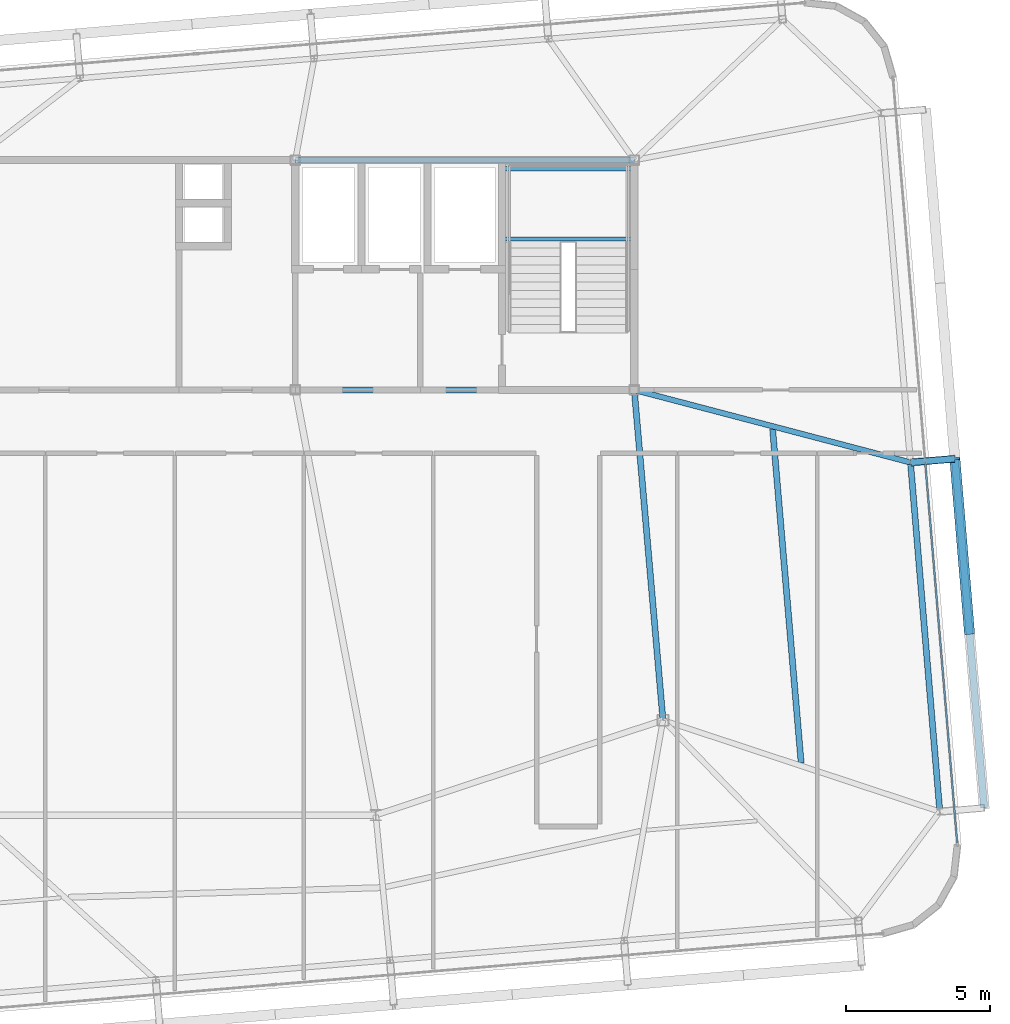
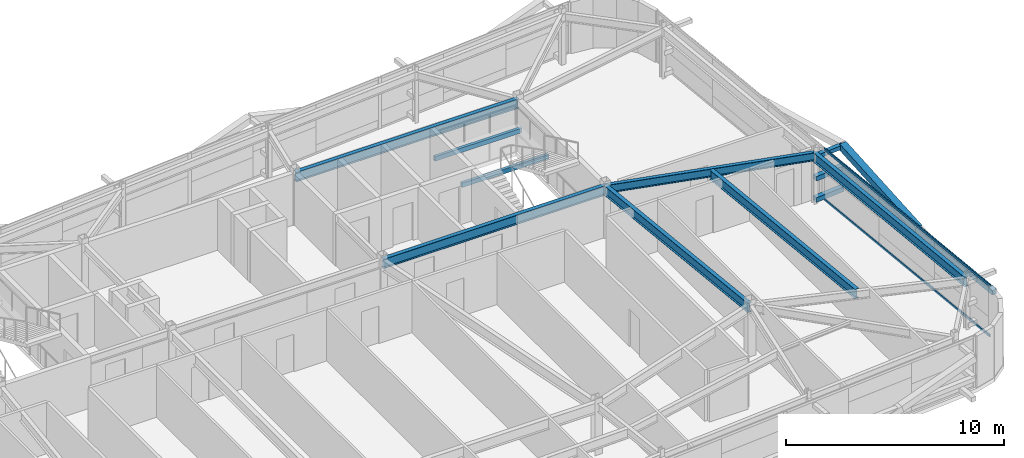
# One storey, part 19 of 39: 8 beams, 7 members, 1 element without a shape of its own.
"""IFC4 building model written with IfcOpenShell, lengths in metres."""

from ifc_helpers import new_model, si_unit, direction, frame, origin, origin_2d, place, context, subcontext, project, spatial, hollow_rectangle, i_section, extrude, source, transform, mapped, material, layer, layer_set, material_profile, profile_set, type_object, element, aggregate, save


model = new_model("IFC4")

# Units and contexts
model_context = context("Model", 3, precision=1e-05, world=origin(), true_north=direction((0.0, 1.0)))
body_context = subcontext(model_context, "Body", "Model", "MODEL_VIEW")
ifc_project = project(units=[si_unit("LENGTHUNIT", "METRE"), si_unit("AREAUNIT", "SQUARE_METRE"), si_unit("VOLUMEUNIT", "CUBIC_METRE"), si_unit("PLANEANGLEUNIT", "RADIAN"), si_unit("MASSUNIT", "GRAM", prefix="KILO")], contexts=[model_context])

# Site, building, storey
site_placement = place(None, origin())
site = spatial("IfcSite", under=ifc_project, at=site_placement, CompositionType="ELEMENT")
building_placement = place(site_placement, origin())
building = spatial("IfcBuilding", under=site, at=building_placement, Name="Taldren Reach Tower", CompositionType="ELEMENT")
storey_placement = place(building_placement, frame((0.0, 0.0, 204.050048828125)))
storey = spatial("IfcBuildingStorey", under=building, at=storey_placement, Name="L62", CompositionType="ELEMENT", Elevation=204.050048828125)

# Beams
ifc_material_1 = material(Name="Steel Gr 350 (350PLUS)", Category="steel")
ifc_material_profile_1 = material_profile(ifc_material_1, i_section(OverallWidth=0.208984375, OverallDepth=0.532958984375, WebThickness=0.01025390625, FlangeThickness=0.015625, at=origin_2d()), Name="530UB92.4")
ifc_profile_set_1 = profile_set([ifc_material_profile_1], Name="Steel Gr 350 (350PLUS)")
beam_type_1 = type_object("IfcBeamType", Name="BM-UB530A", PredefinedType="BEAM", material=ifc_profile_set_1)
shared_shape_1 = source(origin(), body_context, "Body", "SweptSolid", [
    extrude(i_section(OverallWidth=0.208984375, OverallDepth=0.532958984375, WebThickness=0.01025390625, FlangeThickness=0.015625, at=origin_2d()), origin(), (0.0, 0.0, 1.0), 11.800048828125),
])
for number, where, z_axis, x_axis, name in (
    (1, (39.199951171875, 24.0, 2.603515625), (1.0, 0.0, 0.0), (0.0, 1.0, 0.0), "Core-spine girder L62-SP03"),
    (2, (39.199951171875, 32.0, 2.603515625), (1.0, 0.0, 0.0), (0.0, 1.0, 0.0), "Core-spine girder L62-SP06"),
):
    element("IfcBeam", number, at=place(storey_placement, frame(where, z_axis=z_axis, x_axis=x_axis)), inside=storey, type_object=beam_type_1, Name=name, PredefinedType="BEAM", context=body_context, shape_type="MappedRepresentation", body=[
        mapped(shared_shape_1, transform((0.0, 0.0, 0.0), scale=1.0)),
    ])
shared_shape_2 = source(origin(), body_context, "Body", "SweptSolid", [
    extrude(i_section(OverallWidth=0.208984375, OverallDepth=0.532958984375, WebThickness=0.01025390625, FlangeThickness=0.015625, at=origin_2d()), origin(), (0.0, 0.0, 1.0), 11.54345703125),
])
beam_1_placement = place(storey_placement, frame((52.0, 12.5, 2.603515625), z_axis=(-0.086629616365, 0.996240588196, 0.0), x_axis=(-0.996240588196, -0.086629616365, 0.0)))
element("IfcBeam", 3, at=beam_1_placement, inside=storey, type_object=beam_type_1, Name="Core-spine girder L62-SP13", PredefinedType="BEAM", context=body_context, shape_type="MappedRepresentation", body=[
    mapped(shared_shape_2, transform((0.0, 0.0, 0.0), scale=1.0)),
])
ifc_material_profile_2 = material_profile(ifc_material_1, i_section(OverallWidth=0.208984375, OverallDepth=0.528076171875, WebThickness=0.009521484375, FlangeThickness=0.01318359375, at=origin_2d()), Name="530UB82.0")
ifc_profile_set_2 = profile_set([ifc_material_profile_2], Name="Steel Gr 350 (350PLUS)")
beam_type_2 = type_object("IfcBeamType", Name="SP-UB530B", PredefinedType="SPANDREL", material=ifc_profile_set_2)
shared_shape_3 = source(origin(), body_context, "Body", "SweptSolid", [
    extrude(i_section(OverallWidth=0.208984375, OverallDepth=0.528076171875, WebThickness=0.009521484375, FlangeThickness=0.01318359375, at=origin_2d()), origin(), (0.0, 0.0, 1.0), 12.199951171875),
])
beam_2_placement = place(storey_placement, frame((61.63818359375, 9.317626953125, 2.60595703125), z_axis=(-0.083688038336, 0.996492003099, 0.0), x_axis=(-0.996492003099, -0.083688038336, 0.0)))
element("IfcBeam", 4, at=beam_2_placement, inside=storey, type_object=beam_type_2, Name="Perimeter spandrel B4 E1-E2 L62", PredefinedType="SPANDREL", context=body_context, shape_type="MappedRepresentation", body=[
    mapped(shared_shape_3, transform((0.0, 0.0, 0.0), scale=1.0)),
])
ifc_material_profile_3 = material_profile(ifc_material_1, i_section(OverallWidth=0.19091796875, OverallDepth=0.4599609375, WebThickness=0.010009765625, FlangeThickness=0.01611328125, at=origin_2d()), Name="460UB82.1")
ifc_profile_set_3 = profile_set([ifc_material_profile_3], Name="Steel Gr 350 (350PLUS)")
beam_type_3 = type_object("IfcBeamType", Name="BM-UB460A", PredefinedType="BEAM", material=ifc_profile_set_3)
shared_shape_4 = source(origin(), body_context, "Body", "SweptSolid", [
    extrude(i_section(OverallWidth=0.19091796875, OverallDepth=0.4599609375, WebThickness=0.010009765625, FlangeThickness=0.01611328125, at=origin_2d()), origin(), (0.0, 0.0, 1.0), 9.943115234375),
])
beam_3_placement = place(storey_placement, frame((51.0, 24.0, 2.639892578125), z_axis=(0.967215285987, -0.253957851923, 0.0), x_axis=(0.253957851923, 0.967215285987, 0.0)))
element("IfcBeam", 5, at=beam_3_placement, inside=storey, type_object=beam_type_3, Name="Primary floor girder B4-E2 L62", PredefinedType="BEAM", context=body_context, shape_type="MappedRepresentation", body=[
    mapped(shared_shape_4, transform((0.0, 0.0, 0.0), scale=1.0)),
])
shared_shape_5 = source(origin(), body_context, "Body", "SweptSolid", [
    extrude(i_section(OverallWidth=0.208984375, OverallDepth=0.532958984375, WebThickness=0.01025390625, FlangeThickness=0.015625, at=origin_2d()), origin(), (0.0, 0.0, 1.0), 11.66650390625),
])
beam_4_placement = place(storey_placement, frame((56.810302734375, 11.01220703125, 2.603515625), z_axis=(-0.085128704566, 0.996369963246, 0.0), x_axis=(-0.996369963246, -0.085128704566, 0.0)))
element("IfcBeam", 6, at=beam_4_placement, inside=storey, type_object=beam_type_1, Name="Secondary floor beam B4 J7 L62", PredefinedType="BEAM", context=body_context, shape_type="MappedRepresentation", body=[
    mapped(shared_shape_5, transform((0.0, 0.0, 0.0), scale=1.0)),
])

# Members
ifc_material_2 = material(Name="Steel Gr 450 (C450L0)", Category="steel")
ifc_material_profile_4 = material_profile(ifc_material_2, hollow_rectangle(XDim=0.219970703125, YDim=0.219970703125, WallThickness=0.00830078125, at=origin_2d()), Name="220x220x8.2SHS")
ifc_profile_set_4 = profile_set([ifc_material_profile_4], Name="Steel Gr 450 (C450L0)")
member_type_1 = type_object("IfcMemberType", Name="MB-TIE219", PredefinedType="STRUT", material=ifc_profile_set_4)
shared_shape_6 = source(origin(), body_context, "Body", "SweptSolid", [
    extrude(hollow_rectangle(XDim=0.219970703125, YDim=0.219970703125, WallThickness=0.00830078125, at=origin_2d()), origin(), (0.0, 0.0, 1.0), 1.54541015625),
])
member_1_placement = place(storey_placement, frame((60.621826171875, 21.47509765625, 2.58984375), z_axis=(0.99648887425, 0.083725285883, 0.0), x_axis=(-0.083725285883, 0.99648887425, 0.0)))
element("IfcMember", 7, at=member_1_placement, inside=storey, type_object=member_type_1, Name="Exoskeleton diaphragm tie strut B4-E2 L62", PredefinedType="STRUT", context=body_context, shape_type="MappedRepresentation", body=[
    mapped(shared_shape_6, transform((0.0, 0.0, 0.0), scale=1.0)),
])
ifc_material_3 = material(Name="Steel Gr 350 (C350L0)", Category="steel")
ifc_material_profile_5 = material_profile(ifc_material_3, hollow_rectangle(XDim=0.25, YDim=0.25, WallThickness=0.010009765625, at=origin_2d()), Name="250x250x10.0SHS")
ifc_profile_set_5 = profile_set([ifc_material_profile_5], Name="Steel Gr 350 (C350L0)")
member_type_2 = type_object("IfcMemberType", Name="MB-POST250", PredefinedType="POST", material=ifc_profile_set_5)
shared_shape_7 = source(origin(), body_context, "Body", "SweptSolid", [
    extrude(hollow_rectangle(XDim=0.25, YDim=0.25, WallThickness=0.010009765625, at=origin_2d()), origin(), (0.0, 0.0, 1.0), 12.199951171875),
])
member_2_placement = place(storey_placement, frame((63.1826171875, 9.447265625, 1.405029296875), z_axis=(-0.083668166953, 0.99649367175, 0.0), x_axis=(-0.99649367175, -0.083668166953, 0.0)))
element("IfcMember", 8, at=member_2_placement, inside=storey, type_object=member_type_2, Name="Exoskeleton mid-height ring chord B4-E1 L62", PredefinedType="POST", context=body_context, shape_type="MappedRepresentation", body=[
    mapped(shared_shape_7, transform((0.0, 0.0, 0.0), scale=1.0)),
])
shared_shape_8 = source(origin(), body_context, "Body", "SweptSolid", [
    extrude(hollow_rectangle(XDim=0.25, YDim=0.25, WallThickness=0.010009765625, at=origin_2d()), origin(), (0.0, 0.0, 1.0), 1.54541015625),
])
for number, where, z_axis, x_axis, name in (
    (9, (60.621826171875, 21.47509765625, 0.219970703125), (0.99648887425, 0.083725285883, 0.0), (-0.083725285883, 0.99648887425, 0.0), "Exoskeleton base diaphragm tie strut B4-E2 L62"),
    (10, (60.621826171875, 21.47509765625, 1.405029296875), (0.99648887425, 0.083725285883, 0.0), (-0.083725285883, 0.99648887425, 0.0), "Exoskeleton mid-tier diaphragm tie B4-E2 L62"),
):
    element("IfcMember", number, at=place(storey_placement, frame(where, z_axis=z_axis, x_axis=x_axis)), inside=storey, type_object=member_type_2, Name=name, PredefinedType="POST", context=body_context, shape_type="MappedRepresentation", body=[
        mapped(shared_shape_8, transform((0.0, 0.0, 0.0), scale=1.0)),
    ])
ifc_material_profile_6 = material_profile(ifc_material_2, hollow_rectangle(XDim=0.360107421875, YDim=0.360107421875, WallThickness=0.0126953125, at=origin_2d()), Name="360x360x12.7SHS")
ifc_profile_set_6 = profile_set([ifc_material_profile_6], Name="Steel Gr 450 (C450L0)")
member_type_3 = type_object("IfcMemberType", Name="MB-EXO356", PredefinedType="BRACE", material=ifc_profile_set_6)
shared_shape_9 = source(origin(), body_context, "Body", "SweptSolid", [
    extrude(hollow_rectangle(XDim=0.360107421875, YDim=0.360107421875, WallThickness=0.0126953125, at=origin_2d()), origin(), (0.0, 0.0, 1.0), 6.214111328125),
])
member_3_placement = place(storey_placement, frame((62.672119140625, 15.52587890625, 1.405029296875), z_axis=(-0.082113718673, 0.97821405145, 0.190668840537), x_axis=(-0.996495340012, -0.08364829547, 0.0)))
element("IfcMember", 11, at=member_3_placement, inside=storey, type_object=member_type_3, Name="Exoskeleton Diagrid Brace B4-E1 L62", PredefinedType="BRACE", context=body_context, shape_type="MappedRepresentation", body=[
    mapped(shared_shape_9, transform((0.0, 0.0, 0.0), scale=1.0)),
])

# Curtain wall, members
ifc_material_4 = material(Name="Aluminium and Low-E Glass Unitised System", Category="aluminium")
ifc_layer = layer(ifc_material_4, 0.159912109375)
ifc_layer_set = layer_set([ifc_layer], Name="Aluminium and Low-E Glass Unitised System")
curtain_wall_type = type_object("IfcCurtainWallType", Name="CW-SYS-5", PredefinedType="NOTDEFINED", material=ifc_layer_set)
curtain_wall_placement = place(storey_placement, origin())
curtain_wall = element("IfcCurtainWall", 12, at=curtain_wall_placement, inside=storey, type_object=curtain_wall_type, Name="Unitised curtain wall CW-L62-E", PredefinedType="NOTDEFINED")
ifc_material_5 = material(Name="Anodised Aluminium 6063-T6", Category="aluminium")
ifc_material_profile_7 = material_profile(ifc_material_5, hollow_rectangle(XDim=0.06005859375, YDim=0.135009765625, WallThickness=0.00341796875, at=origin_2d()), Name="ALU-135x60x3.5RHS")
ifc_profile_set_7 = profile_set([ifc_material_profile_7], Name="Anodised Aluminium 6063-T6")
member_type_4 = type_object("IfcMemberType", Name="CW-TRN-150", PredefinedType="USERDEFINED", material=ifc_profile_set_7)
shared_shape_10 = source(origin(), body_context, "Body", "SweptSolid", [
    extrude(hollow_rectangle(XDim=0.06005859375, YDim=0.135009765625, WallThickness=0.00341796875, at=origin_2d()), origin(), (0.0, 0.0, 1.0), 13.295166015625),
])
member_4_placement = place(storey_placement, frame((62.240966796875, 8.234130859375, 0.030029296875), z_axis=(-0.083680700004, 0.996492619364, 0.0), x_axis=(-0.996492619364, -0.083680700004, 0.0)))
member_4 = element("IfcMember", 13, at=member_4_placement, type_object=member_type_4, Name="CW-5 transom 1.1", ObjectType="TRANSOM", PredefinedType="USERDEFINED", context=body_context, shape_type="MappedRepresentation", body=[
    mapped(shared_shape_10, transform((0.0, 0.0, 0.0), scale=1.0)),
])
member_5_placement = place(storey_placement, frame((62.240966796875, 8.234130859375, 2.83984375), z_axis=(-0.083680700004, 0.996492619364, 0.0), x_axis=(-0.996492619364, -0.083680700004, 0.0)))
member_5 = element("IfcMember", 14, at=member_5_placement, type_object=member_type_4, Name="CW-5 transom 1.2", ObjectType="TRANSOM", PredefinedType="USERDEFINED", context=body_context, shape_type="MappedRepresentation", body=[
    mapped(shared_shape_10, transform((0.0, 0.0, 0.0), scale=1.0)),
])
aggregate(curtain_wall, [member_4, member_5])

# Beams
ifc_material_profile_8 = material_profile(ifc_material_3, hollow_rectangle(XDim=0.14990234375, YDim=0.25, WallThickness=0.009033203125, at=origin_2d()), Name="250x150x9.0RHS")
ifc_profile_set_8 = profile_set([ifc_material_profile_8], Name="Steel Gr 350 (C350L0)")
beam_type_4 = type_object("IfcBeamType", Name="LN-RHS250", PredefinedType="LINTEL", material=ifc_profile_set_8)
shared_shape_11 = source(origin(), body_context, "Body", "SweptSolid", [
    extrude(hollow_rectangle(XDim=0.14990234375, YDim=0.25, WallThickness=0.009033203125, at=origin_2d()), origin(), (0.0, 0.0, 1.0), 4.60009765625),
])
for number, where, z_axis, x_axis, name in (
    (15, (46.39990234375, 29.2548828125, 1.27001953125), (1.0, 0.0, 0.0), (0.0, 1.0, 0.0), "Stair half-landing support beam ST2-L62-1"),
    (16, (46.39990234375, 31.699951171875, 1.27001953125), (1.0, 0.0, 0.0), (0.0, 1.0, 0.0), "Stair half-landing support beam ST2-L62-2"),
):
    element("IfcBeam", number, at=place(storey_placement, frame(where, z_axis=z_axis, x_axis=x_axis)), inside=storey, type_object=beam_type_4, Name=name, PredefinedType="LINTEL", context=body_context, shape_type="MappedRepresentation", body=[
        mapped(shared_shape_11, transform((0.0, 0.0, 0.0), scale=1.0)),
    ])

save(model, "model.ifc")
